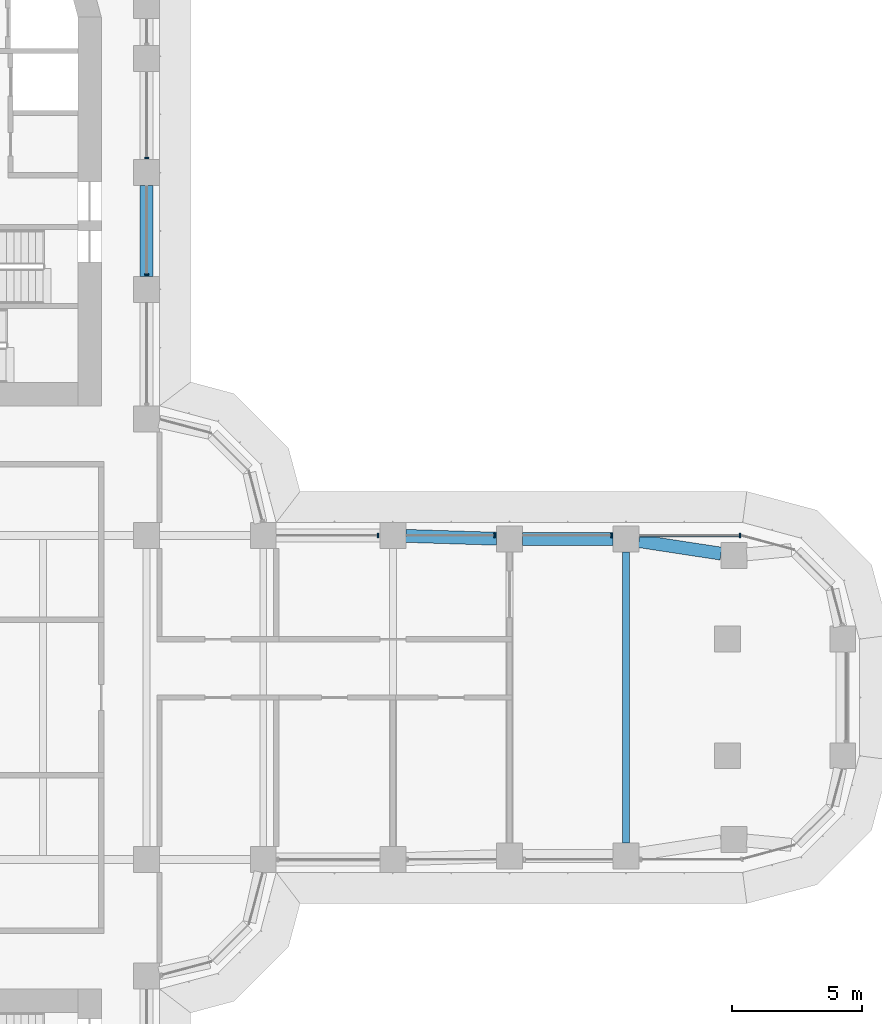
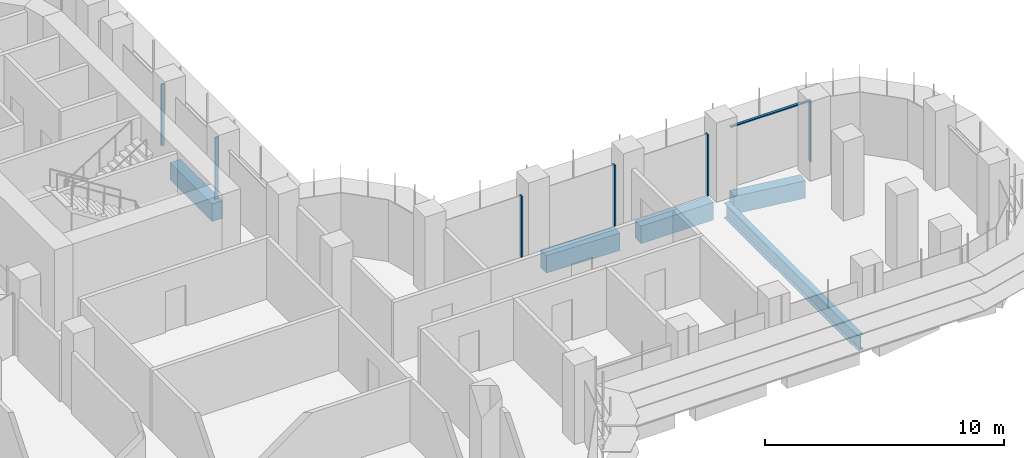
# One storey, part 9 of 23: 7 members, 5 beams, 2 elements without a shape of their own.
"""IFC4 building model written with IfcOpenShell, lengths in metres."""

from ifc_helpers import new_model, si_unit, direction, frame, origin, origin_2d, place, context, subcontext, project, spatial, polyline, rectangle, i_section, outline, extrude, source, transform, mapped, material, material_profile, profile_set, type_object, element, aggregate, save


model = new_model("IFC4")

# Units and contexts
model_context = context("Model", 3, precision=1e-05, world=origin(), true_north=direction((0.0, 1.0)))
body_context = subcontext(model_context, "Body", "Model", "MODEL_VIEW")
ifc_project = project(units=[si_unit("LENGTHUNIT", "METRE"), si_unit("AREAUNIT", "SQUARE_METRE"), si_unit("VOLUMEUNIT", "CUBIC_METRE"), si_unit("PLANEANGLEUNIT", "RADIAN"), si_unit("MASSUNIT", "GRAM", prefix="KILO")], contexts=[model_context])

# Site, building, storey
site_placement = place(None, origin())
site = spatial("IfcSite", under=ifc_project, at=site_placement, CompositionType="ELEMENT")
building_placement = place(site_placement, origin())
building = spatial("IfcBuilding", under=site, at=building_placement, Name="Zarbagh Exchange Tower", CompositionType="ELEMENT")
storey_placement = place(building_placement, frame((0.0, 0.0, 31.199951171875)))
storey = spatial("IfcBuildingStorey", under=building, at=storey_placement, Name="L06", CompositionType="ELEMENT", Elevation=31.199951171875)

# Beams
ifc_material_1 = material(Name="Steel ASTM A992 Gr 50", Category="steel")
ifc_material_profile_1 = material_profile(ifc_material_1, i_section(OverallWidth=0.2666015625, OverallDepth=0.76708984375, WebThickness=0.014892578125, FlangeThickness=0.023681640625, at=origin_2d()), Name="W30X124")
ifc_profile_set_1 = profile_set([ifc_material_profile_1], Name="Steel ASTM A992 Gr 50")
beam_type_1 = type_object("IfcBeamType", Name="Floor beam W30X124", PredefinedType="BEAM", material=ifc_profile_set_1)
beam_1_placement = place(storey_placement, frame((24.75, -5.610107421875, -0.533447265625), z_axis=(0.0, 1.0, 0.0), x_axis=(-1.0, 0.0, 0.0)))
element("IfcBeam", 1, at=beam_1_placement, inside=storey, type_object=beam_type_1, Name="Steel floor beam", PredefinedType="BEAM", context=body_context, shape_type="SweptSolid", body=[
    extrude(i_section(OverallWidth=0.2666015625, OverallDepth=0.76708984375, WebThickness=0.014892578125, FlangeThickness=0.023681640625, at=origin_2d()), origin(), (0.0, 0.0, 1.0), 11.22021484375),
])
ifc_material_2 = material(Name="Concrete C60/75", Category="concrete")
ifc_material_profile_2 = material_profile(ifc_material_2, rectangle(XDim=0.5, YDim=0.89990234375, at=origin_2d()), Name="RC spandrel beam 500 x 900 C60/75")
ifc_profile_set_2 = profile_set([ifc_material_profile_2], Name="Concrete C60/75")
beam_type_2 = type_object("IfcBeamType", Name="RC spandrel beam 500 x 900 C60/75", PredefinedType="SPANDREL", material=ifc_profile_set_2)
beam_2_placement = place(storey_placement, frame((6.25, 19.75, -0.599853515625), z_axis=(0.0, -1.0, 0.0), x_axis=(1.0, 0.0, 0.0)))
element("IfcBeam", 2, at=beam_2_placement, inside=storey, type_object=beam_type_2, Name="RC spandrel beam", PredefinedType="SPANDREL", context=body_context, shape_type="SweptSolid", body=[
    extrude(rectangle(XDim=0.5, YDim=0.89990234375, at=origin_2d()), origin(), (0.0, 0.0, 1.0), 3.5),
])
beam_3_placement = place(storey_placement, frame((16.249755859375, 6.234619140625, -0.599853515625), z_axis=(0.999514385708, -0.031160756759, 0.0), x_axis=(0.031160756759, 0.999514385708, 0.0)))
element("IfcBeam", 3, at=beam_3_placement, inside=storey, type_object=beam_type_2, Name="RC spandrel beam", PredefinedType="SPANDREL", context=body_context, shape_type="SweptSolid", body=[
    extrude(rectangle(XDim=0.5, YDim=0.89990234375, at=origin_2d()), origin(), (0.0, 0.0, 1.0), 3.502197265625),
])
beam_4_placement = place(storey_placement, frame((20.75, 6.110107421875, -0.599853515625), z_axis=(1.0, 0.0, 0.0), x_axis=(0.0, 1.0, 0.0)))
element("IfcBeam", 4, at=beam_4_placement, inside=storey, type_object=beam_type_2, Name="RC spandrel beam", PredefinedType="SPANDREL", context=body_context, shape_type="SweptSolid", body=[
    extrude(rectangle(XDim=0.5, YDim=0.89990234375, at=origin_2d()), origin(), (0.0, 0.0, 1.0), 3.5),
])
beam_5_placement = place(storey_placement, frame((25.244384765625, 6.034423828125, -0.599853515625), z_axis=(0.988545350976, -0.150924116903, 0.0), x_axis=(0.150924116903, 0.988545350976, 0.0)))
element("IfcBeam", 5, at=beam_5_placement, inside=storey, type_object=beam_type_2, Name="RC spandrel beam", PredefinedType="SPANDREL", context=body_context, shape_type="SweptSolid", body=[
    extrude(rectangle(XDim=0.5, YDim=0.89990234375, at=origin_2d()), origin(), (0.0, 0.0, 1.0), 3.2060546875),
])

# Curtain wall, members
ifc_material_3 = material(Name="Anodised aluminium frame and glazing", Category="aluminium")
curtain_wall_type = type_object("IfcCurtainWallType", Name="CWA Ribbon glazing, lower zones", PredefinedType="NOTDEFINED", material=ifc_material_3)
curtain_wall_1_placement = place(storey_placement, origin())
curtain_wall_1 = element("IfcCurtainWall", 6, at=curtain_wall_1_placement, inside=storey, type_object=curtain_wall_type, Name="CWA16 curtain wall", PredefinedType="NOTDEFINED")
ifc_material_4 = material(Name="Anodised aluminium frame", Category="aluminium")
member_type_1 = type_object("IfcMemberType", Name="MUA Mullion, anodised aluminium frame", PredefinedType="MULLION", material=ifc_material_4)
shared_shape_1 = source(origin(), body_context, "Body", "SweptSolid", [
    extrude(outline(polyline([(0.0, -0.080078125), (0.06005859375, -0.080078125), (0.06005859375, 0.080078125), (0.0, 0.080078125), (0.0, -0.080078125)])), origin(), (0.0, 0.0, 1.0), 3.14990234375),
])
placement = place(storey_placement, origin())
member_1 = element("IfcMember", 7, at=placement, type_object=member_type_1, Name="CWA16 mullion 1.1", PredefinedType="MULLION", context=body_context, shape_type="MappedRepresentation", body=[
    mapped(shared_shape_1, transform((29.18408203125, 6.25, 0.0), x_axis=(-1.0, 0.0, 0.0), y_axis=(0.0, -1.0, 0.0), z_axis=(0.0, 0.0, 1.0))),
])
member_2 = element("IfcMember", 8, at=placement, type_object=member_type_1, Name="CWA16 mullion 2.1", PredefinedType="MULLION", context=body_context, shape_type="MappedRepresentation", body=[
    mapped(shared_shape_1, transform((24.2099609375, 6.25, 0.0), x_axis=(-1.0, 0.0, 0.0), y_axis=(0.0, -1.0, 0.0), z_axis=(0.0, 0.0, 1.0))),
])
member_3 = element("IfcMember", 9, at=placement, type_object=member_type_1, Name="CWA16 mullion 3.1", PredefinedType="MULLION", context=body_context, shape_type="MappedRepresentation", body=[
    mapped(shared_shape_1, transform((19.7099609375, 6.25, 0.0), x_axis=(-1.0, 0.0, 0.0), y_axis=(0.0, -1.0, 0.0), z_axis=(0.0, 0.0, 1.0))),
])
member_4 = element("IfcMember", 10, at=placement, type_object=member_type_1, Name="CWA16 mullion 4.1", PredefinedType="MULLION", context=body_context, shape_type="MappedRepresentation", body=[
    mapped(shared_shape_1, transform((15.2099609375, 6.25, 0.0), x_axis=(-1.0, 0.0, 0.0), y_axis=(0.0, -1.0, 0.0), z_axis=(0.0, 0.0, 1.0))),
])

curtain_wall_2_placement = place(storey_placement, origin())
curtain_wall_2 = element("IfcCurtainWall", 11, at=curtain_wall_2_placement, inside=storey, type_object=curtain_wall_type, Name="CWA20 curtain wall", PredefinedType="NOTDEFINED")
member_5 = element("IfcMember", 12, at=placement, type_object=member_type_1, Name="CWA20 mullion 2.1", PredefinedType="MULLION", context=body_context, shape_type="MappedRepresentation", body=[
    mapped(shared_shape_1, transform((6.25, 16.2900390625, 0.0), x_axis=(0.0, 1.0, 0.0), y_axis=(-1.0, 0.0, 0.0), z_axis=(0.0, 0.0, 1.0))),
])
member_6 = element("IfcMember", 13, at=placement, type_object=member_type_1, Name="CWA20 mullion 3.1", PredefinedType="MULLION", context=body_context, shape_type="MappedRepresentation", body=[
    mapped(shared_shape_1, transform((6.25, 20.7900390625, 0.0), x_axis=(0.0, 1.0, 0.0), y_axis=(-1.0, 0.0, 0.0), z_axis=(0.0, 0.0, 1.0))),
])
aggregate(curtain_wall_2, [member_5, member_6])

# Member
member_type_2 = type_object("IfcMemberType", Name="TRA Transom, anodised aluminium frame", PredefinedType="USERDEFINED", material=ifc_material_4)
shared_shape_2 = source(origin(), body_context, "Body", "SweptSolid", [
    extrude(outline(polyline([(-0.06005859375, -0.06005859375), (0.0, -0.06005859375), (0.0, 0.06005859375), (-0.06005859375, 0.06005859375), (-0.06005859375, -0.06005859375)])), origin(), (0.0, 0.0, 1.0), 3.834228515625),
])
member_7 = element("IfcMember", 14, at=placement, type_object=member_type_2, Name="CWA16 transom 1.1", ObjectType="TRANSOM", PredefinedType="USERDEFINED", context=body_context, shape_type="MappedRepresentation", body=[
    mapped(shared_shape_2, transform((29.124267578125, 6.25, 3.150146484375), x_axis=(0.0, 0.0, 1.0), y_axis=(0.0, 1.0, 0.0), z_axis=(-1.0, 0.0, 0.0))),
])

aggregate(curtain_wall_1, [member_1, member_7, member_2, member_3, member_4])

save(model, "model.ifc")
